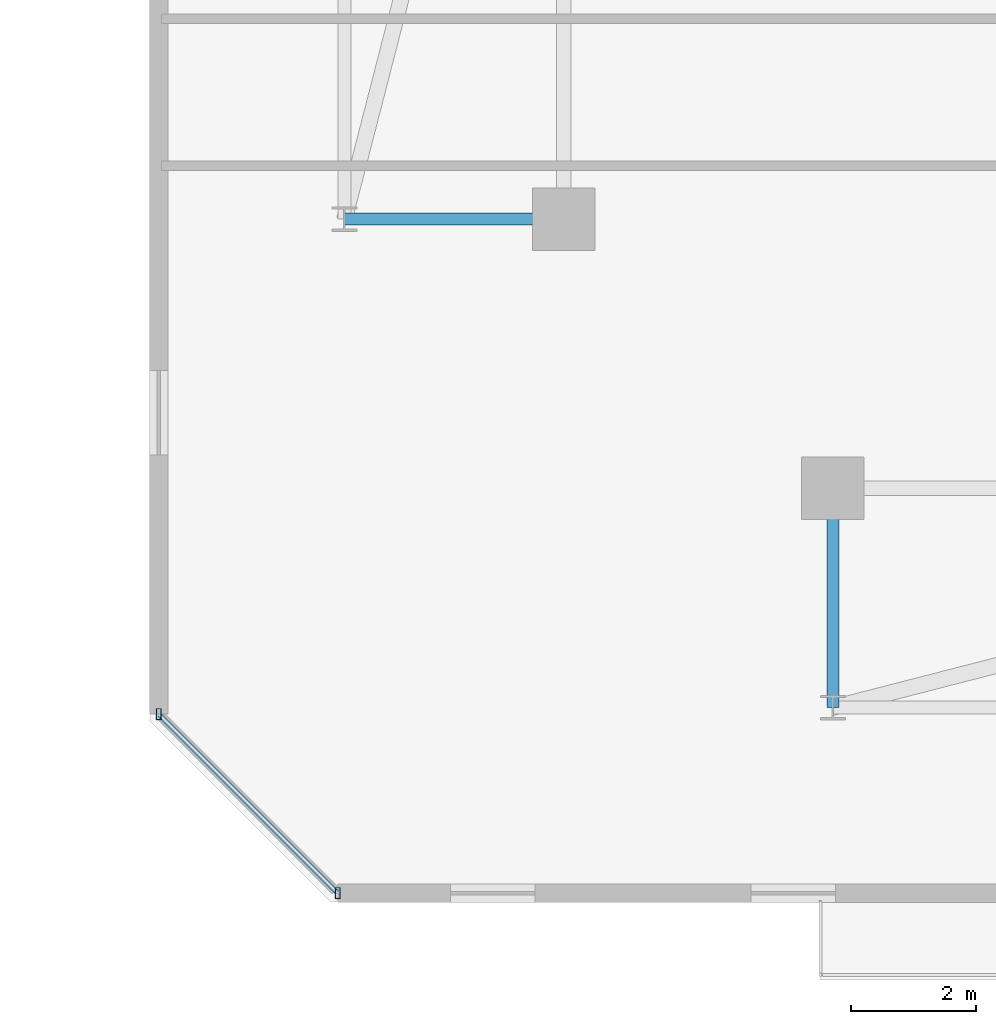
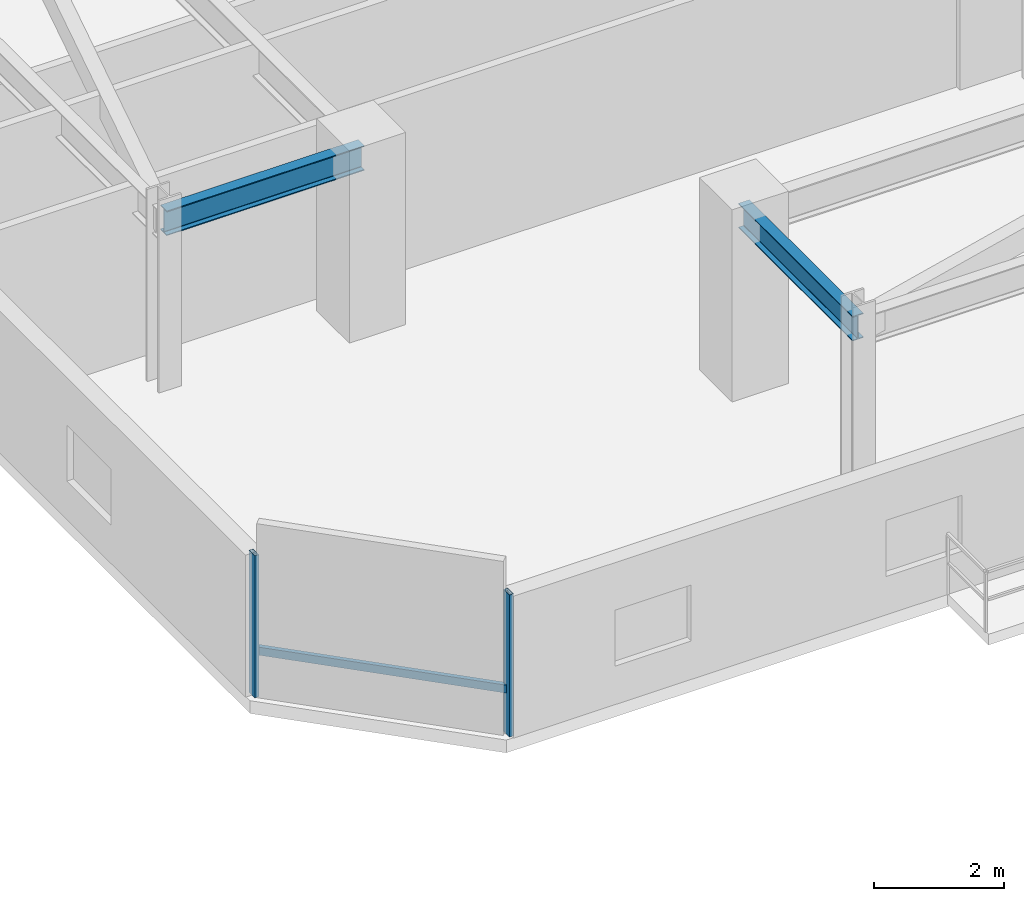
# One storey, part 11 of 33: 3 members, 2 beams, 1 element without a shape of its own.
"""IFC4 building model written with IfcOpenShell, lengths in metres."""

from ifc_helpers import new_model, si_unit, direction, frame, origin, origin_2d, place, context, subcontext, project, spatial, hollow_rectangle, i_section, extrude, material, material_profile, profile_set, type_object, element, aggregate, save


model = new_model("IFC4")

# Units and contexts
model_context = context("Model", 3, precision=1e-05, world=origin(), true_north=direction((0.0, 1.0)))
body_context = subcontext(model_context, "Body", "Model", "MODEL_VIEW")
ifc_project = project(units=[si_unit("LENGTHUNIT", "METRE"), si_unit("AREAUNIT", "SQUARE_METRE"), si_unit("VOLUMEUNIT", "CUBIC_METRE"), si_unit("PLANEANGLEUNIT", "RADIAN"), si_unit("MASSUNIT", "GRAM", prefix="KILO")], contexts=[model_context])

# Site, building, storey
site_placement = place(None, origin())
site = spatial("IfcSite", under=ifc_project, at=site_placement, CompositionType="ELEMENT")
building_placement = place(site_placement, origin())
building = spatial("IfcBuilding", under=site, at=building_placement, Name="Thornwick Lancets Civic Towers", CompositionType="ELEMENT")
storey_placement = place(building_placement, frame((0.0, 0.0, 218.10009765625)))
storey = spatial("IfcBuildingStorey", under=building, at=storey_placement, Name="L58", CompositionType="ELEMENT", Elevation=218.10009765625)

# Beams
ifc_material_1 = material(Name="Steel S355JR", Category="steel")
ifc_material_profile_1 = material_profile(ifc_material_1, i_section(OverallWidth=0.19189453125, OverallDepth=0.46337890625, WebThickness=0.010498046875, FlangeThickness=0.017578125, FilletRadius=0.01025390625, at=origin_2d()), Name="UKB 457x191x89")
ifc_profile_set_1 = profile_set([ifc_material_profile_1], Name="Steel S355JR")
beam_type = type_object("IfcBeamType", Name="BM_JOIST_457_89", PredefinedType="JOIST", material=ifc_profile_set_1)
for number, where, z_axis, x_axis, name in (
    (1, (71.199951171875, 14.0, 3.048095703125), (-1.0, 0.0, 0.0), (0.0, -1.0, 0.0), "BM-RAD-L58-B07"),
    (2, (75.5, 9.699951171875, 3.048095703125), (0.0, -1.0, 0.0), (1.0, 0.0, 0.0), "BM-RAD-L58-B12"),
):
    element("IfcBeam", number, at=place(storey_placement, frame(where, z_axis=z_axis, x_axis=x_axis)), inside=storey, type_object=beam_type, Name=name, PredefinedType="JOIST", context=body_context, shape_type="SweptSolid", body=[
        extrude(i_section(OverallWidth=0.19189453125, OverallDepth=0.46337890625, WebThickness=0.010498046875, FlangeThickness=0.017578125, FilletRadius=0.01025390625, at=origin_2d()), origin(), (0.0, 0.0, 1.0), 3.5),
    ])

# Curtain wall, members
ifc_material_2 = material(Name="High-zone chamfered-corner unitised glass curtain wall", Category="glass")
curtain_wall_type = type_object("IfcCurtainWallType", Name="CW_SYS_05", PredefinedType="NOTDEFINED", material=ifc_material_2)
curtain_wall_placement = place(storey_placement, origin())
curtain_wall = element("IfcCurtainWall", 3, at=curtain_wall_placement, inside=storey, type_object=curtain_wall_type, Name="L58 Curtain Wall CW-L58-B-E7", PredefinedType="NOTDEFINED")
ifc_material_3 = material(Name="Thermally broken bronze aluminium S355", Category="steel")
ifc_material_profile_2 = material_profile(ifc_material_3, hollow_rectangle(XDim=0.074951171875, YDim=0.179931640625, WallThickness=0.006103515625, at=origin_2d()), Name="RHS 180x75x6")
ifc_profile_set_2 = profile_set([ifc_material_profile_2], Name="Thermally broken bronze aluminium S355")
member_type_1 = type_object("IfcMemberType", Name="CW_MUL_180", PredefinedType="MULLION", material=ifc_profile_set_2)
member_1_placement = place(storey_placement, frame((64.736328125, 6.094482421875, 0.0), z_axis=(0.0, 0.0, 1.0), x_axis=(1.0, 0.0, 0.0)))
member_1 = element("IfcMember", 4, at=member_1_placement, type_object=member_type_1, Name="CW-L58-B-E7 Mullion 0", PredefinedType="MULLION", context=body_context, shape_type="SweptSolid", body=[
    extrude(hollow_rectangle(XDim=0.074951171875, YDim=0.179931640625, WallThickness=0.006103515625, at=origin_2d()), origin(), (0.0, 0.0, 1.0), 2.659912109375),
])
member_2_placement = place(storey_placement, frame((67.594482421875, 3.236328125, 0.0), z_axis=(0.0, 0.0, 1.0), x_axis=(1.0, 0.0, 0.0)))
member_2 = element("IfcMember", 5, at=member_2_placement, type_object=member_type_1, Name="CW-L58-B-E7 Mullion 1", PredefinedType="MULLION", context=body_context, shape_type="SweptSolid", body=[
    extrude(hollow_rectangle(XDim=0.074951171875, YDim=0.179931640625, WallThickness=0.006103515625, at=origin_2d()), origin(), (0.0, 0.0, 1.0), 2.659912109375),
])
ifc_material_profile_3 = material_profile(ifc_material_3, hollow_rectangle(XDim=0.074951171875, YDim=0.14990234375, WallThickness=0.0048828125, at=origin_2d()), Name="RHS 150x75x5")
ifc_profile_set_3 = profile_set([ifc_material_profile_3], Name="Thermally broken bronze aluminium S355")
member_type_2 = type_object("IfcMemberType", Name="CW_TRN_150", PredefinedType="USERDEFINED", material=ifc_profile_set_3)
member_3_placement = place(storey_placement, frame((64.75048828125, 6.08056640625, 0.849853515625), z_axis=(0.707106781187, -0.707106781187, 0.0), x_axis=(0.707106781187, 0.707106781187, 0.0)))
member_3 = element("IfcMember", 6, at=member_3_placement, type_object=member_type_2, Name="CW-L58-B-E7 Transom 0", ObjectType="TRANSOM", PredefinedType="USERDEFINED", context=body_context, shape_type="SweptSolid", body=[
    extrude(hollow_rectangle(XDim=0.074951171875, YDim=0.14990234375, WallThickness=0.0048828125, at=origin_2d()), origin(), (0.0, 0.0, 1.0), 4.00244140625),
])
aggregate(curtain_wall, [member_1, member_2, member_3])

save(model, "model.ifc")
